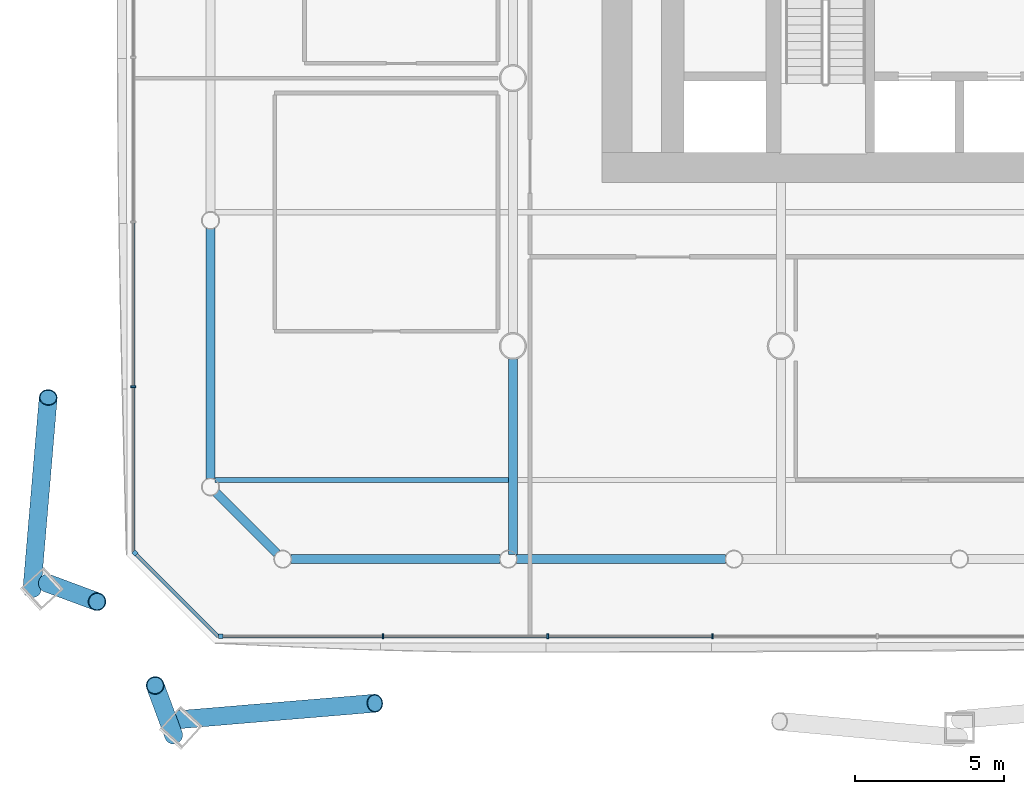
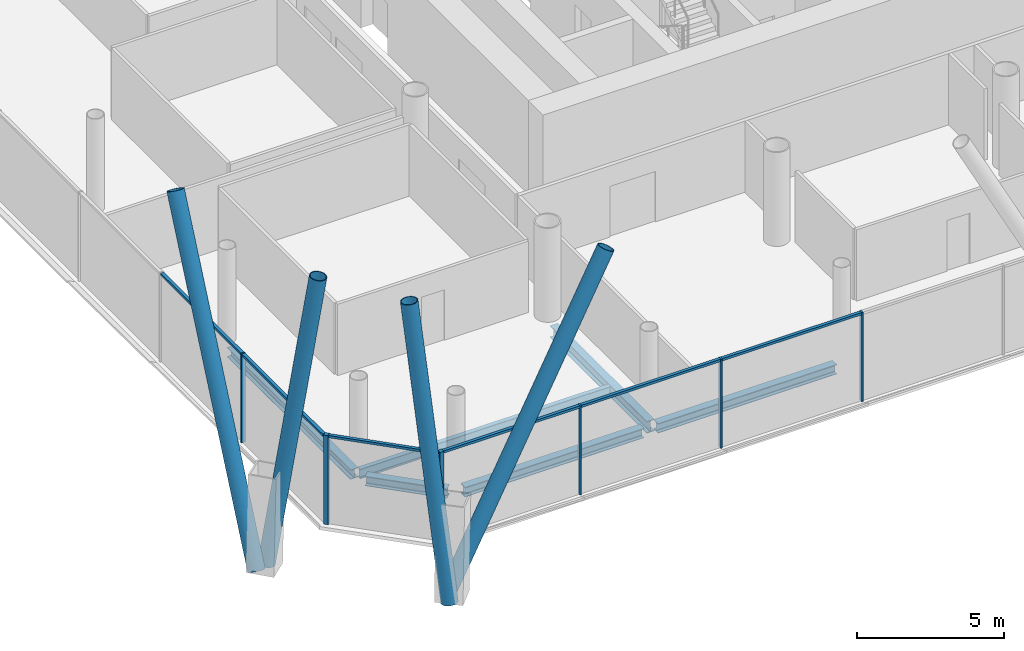
# One storey, part 3 of 25: 16 members, 6 beams, 3 elements without a shape of their own.
"""IFC4 building model written with IfcOpenShell, lengths in metres."""

from ifc_helpers import new_model, si_unit, direction, frame, origin, origin_2d, place, context, subcontext, project, spatial, rectangle, hollow_circle, i_section, extrude, material, material_profile, profile_set, type_object, element, aggregate, save


model = new_model("IFC4")

# Units and contexts
model_context = context("Model", 3, precision=1e-05, world=origin(), true_north=direction((0.0, 1.0)))
body_context = subcontext(model_context, "Body", "Model", "MODEL_VIEW")
ifc_project = project(units=[si_unit("LENGTHUNIT", "METRE"), si_unit("AREAUNIT", "SQUARE_METRE"), si_unit("VOLUMEUNIT", "CUBIC_METRE"), si_unit("PLANEANGLEUNIT", "RADIAN"), si_unit("MASSUNIT", "GRAM", prefix="KILO")], contexts=[model_context])

# Site, building, storey
site_placement = place(None, origin())
site = spatial("IfcSite", under=ifc_project, at=site_placement, CompositionType="ELEMENT")
building_placement = place(site_placement, origin())
building = spatial("IfcBuilding", under=site, at=building_placement, Name="Tskaro Facet Tower", CompositionType="ELEMENT")
storey_placement = place(building_placement, frame((0.0, 0.0, 10.800048828125)))
storey = spatial("IfcBuildingStorey", under=building, at=storey_placement, Name="L01", CompositionType="ELEMENT", Elevation=10.800048828125)

# Members
ifc_material_1 = material(Name="Steel S355J2H", Category="steel")
ifc_material_profile_1 = material_profile(ifc_material_1, hollow_circle(Radius=0.304931640625, WallThickness=0.030029296875, at=origin_2d()), Name="CHS 610x30")
ifc_profile_set_1 = profile_set([ifc_material_profile_1], Name="Steel S355J2H")
member_type_1 = type_object("IfcMemberType", Name="CHS 610x30 brace", PredefinedType="BRACE", material=ifc_profile_set_1)
member_1_placement = place(storey_placement, frame((-29.180908203125, -30.544921875, 0.0), z_axis=(0.487810027403, 0.04081308111, 0.871995223367), x_axis=(-0.083374631246, 0.996518274225, 0.0)))
element("IfcMember", 1, at=member_1_placement, inside=storey, type_object=member_type_1, Name="CHS 610x30 XB01A/1", PredefinedType="BRACE", context=body_context, shape_type="SweptSolid", body=[
    extrude(hollow_circle(Radius=0.304931640625, WallThickness=0.030029296875, at=origin_2d()), origin(), (0.0, 0.0, 1.0), 13.41748046875),
])
member_2_placement = place(storey_placement, frame((-34.155029296875, -26.180908203125, 0.0), z_axis=(0.040963989002, 0.482695988051, 0.874829431789), x_axis=(-0.996418302096, 0.084561026772, 0.0)))
element("IfcMember", 2, at=member_2_placement, inside=storey, type_object=member_type_1, Name="CHS 610x30 XB11B/1", PredefinedType="BRACE", context=body_context, shape_type="SweptSolid", body=[
    extrude(hollow_circle(Radius=0.304931640625, WallThickness=0.030029296875, at=origin_2d()), origin(), (0.0, 0.0, 1.0), 13.3740234375),
])
for number, where, z_axis, x_axis, name in (
    (3, (-33.63427734375, -25.96533203125, 0.0), (0.140901160262, -0.052337663775, 0.988639283049), (0.348203759663, 0.937418872093, 0.0), "CHS 610x30 XB12A/1"),
    (4, (-29.396728515625, -31.065673828125, 0.0), (-0.052337663775, 0.140901160262, 0.988639283049), (-0.937418872093, -0.348203759663, 0.0), "CHS 610x30 XB12B/1"),
):
    element("IfcMember", number, at=place(storey_placement, frame(where, z_axis=z_axis, x_axis=x_axis)), inside=storey, type_object=member_type_1, Name=name, PredefinedType="BRACE", context=body_context, shape_type="SweptSolid", body=[
        extrude(hollow_circle(Radius=0.304931640625, WallThickness=0.030029296875, at=origin_2d()), origin(), (0.0, 0.0, 1.0), 11.83447265625),
    ])

# Curtain wall, member
ifc_material_2 = material(Name="Bronze anodised aluminium 6063-T6", Category="aluminium")
curtain_wall_type = type_object("IfcCurtainWallType", Name="Bronze office curtain wall (FW1)", PredefinedType="NOTDEFINED", material=ifc_material_2)
curtain_wall_1_placement = place(storey_placement, origin())
curtain_wall_1 = element("IfcCurtainWall", 5, at=curtain_wall_1_placement, inside=storey, type_object=curtain_wall_type, Name="FW1 south facet L01", PredefinedType="NOTDEFINED")
ifc_material_profile_2 = material_profile(ifc_material_2, rectangle(XDim=0.159912109375, YDim=0.159912109375, at=origin_2d()), Name="Corner post 160x160")
ifc_profile_set_2 = profile_set([ifc_material_profile_2], Name="Bronze anodised aluminium 6063-T6")
member_type_2 = type_object("IfcMemberType", Name="FW1 bronze corner post 160x160", PredefinedType="MULLION", material=ifc_profile_set_2)
member_3_placement = place(storey_placement, frame((-27.81591796875, -27.75, 0.0), z_axis=(0.0, 0.0, 1.0), x_axis=(1.0, 0.0, 0.0)))
member_3 = element("IfcMember", 6, at=member_3_placement, type_object=member_type_2, Name="FW1 south corner post", PredefinedType="MULLION", context=body_context, shape_type="SweptSolid", body=[
    extrude(rectangle(XDim=0.159912109375, YDim=0.159912109375, at=origin_2d()), origin(), (0.0, 0.0, 1.0), 3.699951171875),
])

curtain_wall_2_placement = place(storey_placement, origin())
curtain_wall_2 = element("IfcCurtainWall", 7, at=curtain_wall_2_placement, inside=storey, type_object=curtain_wall_type, Name="FW1 south-west facet L01", PredefinedType="NOTDEFINED")
member_4_placement = place(storey_placement, frame((-30.693359375, -24.95263671875, 0.0), z_axis=(0.0, 0.0, 1.0), x_axis=(0.707106781187, -0.707106781187, 0.0)))
member_4 = element("IfcMember", 8, at=member_4_placement, type_object=member_type_2, Name="FW1 south-west corner post", PredefinedType="MULLION", context=body_context, shape_type="SweptSolid", body=[
    extrude(rectangle(XDim=0.159912109375, YDim=0.159912109375, at=origin_2d()), origin(), (0.0, 0.0, 1.0), 3.699951171875),
])

# Member
ifc_material_profile_3 = material_profile(ifc_material_2, rectangle(XDim=0.06005859375, YDim=0.159912109375, at=origin_2d()), Name="Mullion 60x160")
ifc_profile_set_3 = profile_set([ifc_material_profile_3], Name="Bronze anodised aluminium 6063-T6")
member_type_3 = type_object("IfcMemberType", Name="FW1 bronze mullion 60x160", PredefinedType="MULLION", material=ifc_profile_set_3)
member_5_placement = place(storey_placement, frame((-22.363525390625, -27.75, 0.0), z_axis=(0.0, 0.0, 1.0), x_axis=(1.0, 0.0, 0.0)))
member_5 = element("IfcMember", 9, at=member_5_placement, type_object=member_type_3, Name="FW1 south mullion 1", PredefinedType="MULLION", context=body_context, shape_type="SweptSolid", body=[
    extrude(rectangle(XDim=0.06005859375, YDim=0.159912109375, at=origin_2d()), origin(), (0.0, 0.0, 1.0), 3.699951171875),
])

member_6_placement = place(storey_placement, frame((-16.8310546875, -27.75, 0.0), z_axis=(0.0, 0.0, 1.0), x_axis=(1.0, 0.0, 0.0)))
member_6 = element("IfcMember", 10, at=member_6_placement, type_object=member_type_3, Name="FW1 south mullion 2", PredefinedType="MULLION", context=body_context, shape_type="SweptSolid", body=[
    extrude(rectangle(XDim=0.06005859375, YDim=0.159912109375, at=origin_2d()), origin(), (0.0, 0.0, 1.0), 3.699951171875),
])

member_7_placement = place(storey_placement, frame((-11.298583984375, -27.75, 0.0), z_axis=(0.0, 0.0, 1.0), x_axis=(1.0, 0.0, 0.0)))
member_7 = element("IfcMember", 11, at=member_7_placement, type_object=member_type_3, Name="FW1 south mullion 3", PredefinedType="MULLION", context=body_context, shape_type="SweptSolid", body=[
    extrude(rectangle(XDim=0.06005859375, YDim=0.159912109375, at=origin_2d()), origin(), (0.0, 0.0, 1.0), 3.699951171875),
])

# Curtain wall, member
curtain_wall_3_placement = place(storey_placement, origin())
curtain_wall_3 = element("IfcCurtainWall", 12, at=curtain_wall_3_placement, inside=storey, type_object=curtain_wall_type, Name="FW1 west facet L01", PredefinedType="NOTDEFINED")
member_8_placement = place(storey_placement, frame((-30.75, -19.363525390625, 0.0), z_axis=(0.0, 0.0, 1.0), x_axis=(0.0, -1.0, 0.0)))
member_8 = element("IfcMember", 13, at=member_8_placement, type_object=member_type_3, Name="FW1 west mullion 8", PredefinedType="MULLION", context=body_context, shape_type="SweptSolid", body=[
    extrude(rectangle(XDim=0.06005859375, YDim=0.159912109375, at=origin_2d()), origin(), (0.0, 0.0, 1.0), 3.699951171875),
])

# Member
ifc_material_profile_4 = material_profile(ifc_material_2, rectangle(XDim=0.1201171875, YDim=0.10009765625, at=origin_2d()), Name="Transom 120x100")
ifc_profile_set_4 = profile_set([ifc_material_profile_4], Name="Bronze anodised aluminium 6063-T6")
member_type_4 = type_object("IfcMemberType", Name="FW1 bronze transom 120x100", PredefinedType="USERDEFINED", material=ifc_profile_set_4)
member_9_placement = place(storey_placement, frame((-27.736083984375, -27.75, 3.64990234375), z_axis=(1.0, 0.0, 0.0), x_axis=(0.0, 1.0, 0.0)))
member_9 = element("IfcMember", 14, at=member_9_placement, type_object=member_type_4, Name="FW1 south transom 1.1", ObjectType="TRANSOM", PredefinedType="USERDEFINED", context=body_context, shape_type="SweptSolid", body=[
    extrude(rectangle(XDim=0.1201171875, YDim=0.10009765625, at=origin_2d()), origin(), (0.0, 0.0, 1.0), 5.342529296875),
])

member_10_placement = place(storey_placement, frame((-22.33349609375, -27.75, 3.64990234375), z_axis=(1.0, 0.0, 0.0), x_axis=(0.0, 1.0, 0.0)))
member_10 = element("IfcMember", 15, at=member_10_placement, type_object=member_type_4, Name="FW1 south transom 2.1", ObjectType="TRANSOM", PredefinedType="USERDEFINED", context=body_context, shape_type="SweptSolid", body=[
    extrude(rectangle(XDim=0.1201171875, YDim=0.10009765625, at=origin_2d()), origin(), (0.0, 0.0, 1.0), 5.472412109375),
])

member_11_placement = place(storey_placement, frame((-16.801025390625, -27.75, 3.64990234375), z_axis=(1.0, 0.0, 0.0), x_axis=(0.0, 1.0, 0.0)))
member_11 = element("IfcMember", 16, at=member_11_placement, type_object=member_type_4, Name="FW1 south transom 3.1", ObjectType="TRANSOM", PredefinedType="USERDEFINED", context=body_context, shape_type="SweptSolid", body=[
    extrude(rectangle(XDim=0.1201171875, YDim=0.10009765625, at=origin_2d()), origin(), (0.0, 0.0, 1.0), 5.472412109375),
])

aggregate(curtain_wall_1, [member_3, member_5, member_6, member_7, member_9, member_10, member_11])

member_12_placement = place(storey_placement, frame((-30.75, -13.861083984375, 3.64990234375), z_axis=(0.0, -1.0, 0.0), x_axis=(1.0, 0.0, 0.0)))
member_12 = element("IfcMember", 17, at=member_12_placement, type_object=member_type_4, Name="FW1 west transom 8.1", ObjectType="TRANSOM", PredefinedType="USERDEFINED", context=body_context, shape_type="SweptSolid", body=[
    extrude(rectangle(XDim=0.1201171875, YDim=0.10009765625, at=origin_2d()), origin(), (0.0, 0.0, 1.0), 5.472412109375),
])

member_13_placement = place(storey_placement, frame((-30.75, -19.3935546875, 3.64990234375), z_axis=(0.0, -1.0, 0.0), x_axis=(1.0, 0.0, 0.0)))
member_13 = element("IfcMember", 18, at=member_13_placement, type_object=member_type_4, Name="FW1 west transom 9.1", ObjectType="TRANSOM", PredefinedType="USERDEFINED", context=body_context, shape_type="SweptSolid", body=[
    extrude(rectangle(XDim=0.1201171875, YDim=0.10009765625, at=origin_2d()), origin(), (0.0, 0.0, 1.0), 5.50244140625),
])

aggregate(curtain_wall_3, [member_8, member_12, member_13])

member_14_placement = place(storey_placement, frame((-30.636962890625, -25.009033203125, 3.64990234375), z_axis=(0.707106781187, -0.707106781187, 0.0), x_axis=(0.707106781187, 0.707106781187, 0.0)))
member_14 = element("IfcMember", 19, at=member_14_placement, type_object=member_type_4, Name="FW1 south-west transom 1.1", ObjectType="TRANSOM", PredefinedType="USERDEFINED", context=body_context, shape_type="SweptSolid", body=[
    extrude(rectangle(XDim=0.1201171875, YDim=0.10009765625, at=origin_2d()), origin(), (0.0, 0.0, 1.0), 3.876220703125),
])

aggregate(curtain_wall_2, [member_4, member_14])

# Beams
ifc_material_3 = material(Name="Steel S355J2", Category="steel")
ifc_material_profile_5 = material_profile(ifc_material_3, i_section(OverallWidth=0.300048828125, OverallDepth=0.39990234375, WebThickness=0.013427734375, FlangeThickness=0.02392578125, FilletRadius=0.027099609375, at=origin_2d()), Name="HE 400 B")
ifc_profile_set_5 = profile_set([ifc_material_profile_5], Name="Steel S355J2")
beam_type_1 = type_object("IfcBeamType", Name="HE 400 B ring beam", PredefinedType="BEAM", material=ifc_profile_set_5)
beam_1_placement = place(storey_placement, frame((-25.4541015625, -25.156982421875, -0.340087890625), z_axis=(1.0, 0.0, 0.0), x_axis=(0.0, 1.0, 0.0)))
element("IfcBeam", 20, at=beam_1_placement, inside=storey, type_object=beam_type_1, Name="HE 400 B EB1-1", PredefinedType="BEAM", context=body_context, shape_type="SweptSolid", body=[
    extrude(i_section(OverallWidth=0.300048828125, OverallDepth=0.39990234375, WebThickness=0.013427734375, FlangeThickness=0.02392578125, FilletRadius=0.027099609375, at=origin_2d()), origin(), (0.0, 0.0, 1.0), 7.026123046875),
])
beam_2_placement = place(storey_placement, frame((-17.8779296875, -25.156982421875, -0.340087890625), z_axis=(1.0, 0.0, 0.0), x_axis=(0.0, 1.0, 0.0)))
element("IfcBeam", 21, at=beam_2_placement, inside=storey, type_object=beam_type_1, Name="HE 400 B EB2-1", PredefinedType="BEAM", context=body_context, shape_type="SweptSolid", body=[
    extrude(i_section(OverallWidth=0.300048828125, OverallDepth=0.39990234375, WebThickness=0.013427734375, FlangeThickness=0.02392578125, FilletRadius=0.027099609375, at=origin_2d()), origin(), (0.0, 0.0, 1.0), 7.02685546875),
])
beam_3_placement = place(storey_placement, frame((-28.156982421875, -14.055908203125, -0.340087890625), z_axis=(0.0, -1.0, 0.0), x_axis=(1.0, 0.0, 0.0)))
element("IfcBeam", 22, at=beam_3_placement, inside=storey, type_object=beam_type_1, Name="HE 400 B EB24-1", PredefinedType="BEAM", context=body_context, shape_type="SweptSolid", body=[
    extrude(i_section(OverallWidth=0.300048828125, OverallDepth=0.39990234375, WebThickness=0.013427734375, FlangeThickness=0.02392578125, FilletRadius=0.027099609375, at=origin_2d()), origin(), (0.0, 0.0, 1.0), 8.398193359375),
])
beam_4_placement = place(storey_placement, frame((-27.962646484375, -22.92333984375, -0.340087890625), z_axis=(0.707106781187, -0.707106781187, 0.0), x_axis=(0.707106781187, 0.707106781187, 0.0)))
element("IfcBeam", 23, at=beam_4_placement, inside=storey, type_object=beam_type_1, Name="HE 400 B EB25-1", PredefinedType="BEAM", context=body_context, shape_type="SweptSolid", body=[
    extrude(i_section(OverallWidth=0.300048828125, OverallDepth=0.39990234375, WebThickness=0.013427734375, FlangeThickness=0.02392578125, FilletRadius=0.027099609375, at=origin_2d()), origin(), (0.0, 0.0, 1.0), 2.884033203125),
])
ifc_material_profile_6 = material_profile(ifc_material_3, i_section(OverallWidth=0.300048828125, OverallDepth=0.489990234375, WebThickness=0.011962890625, FlangeThickness=0.02294921875, FilletRadius=0.027099609375, at=origin_2d()), Name="HE 500 A")
ifc_profile_set_6 = profile_set([ifc_material_profile_6], Name="Steel S355J2")
beam_type_2 = type_object("IfcBeamType", Name="HE 500 A girder", PredefinedType="BEAM", material=ifc_profile_set_6)
beam_5_placement = place(storey_placement, frame((-18.0, -25.007080078125, -0.385009765625), z_axis=(0.0, 1.0, 0.0), x_axis=(-1.0, 0.0, 0.0)))
element("IfcBeam", 24, at=beam_5_placement, inside=storey, type_object=beam_type_2, Name="HE 500 A GB2-1-1", PredefinedType="BEAM", context=body_context, shape_type="SweptSolid", body=[
    extrude(i_section(OverallWidth=0.300048828125, OverallDepth=0.489990234375, WebThickness=0.011962890625, FlangeThickness=0.02294921875, FilletRadius=0.027099609375, at=origin_2d()), origin(), (0.0, 0.0, 1.0), 6.579833984375),
])
ifc_material_profile_7 = material_profile(ifc_material_3, i_section(OverallWidth=0.179931640625, OverallDepth=0.39990234375, WebThickness=0.008544921875, FlangeThickness=0.013427734375, FilletRadius=0.02099609375, at=origin_2d()), Name="IPE 400")
ifc_profile_set_7 = profile_set([ifc_material_profile_7], Name="Steel S355J2")
beam_type_3 = type_object("IfcBeamType", Name="IPE 400 secondary beam", PredefinedType="BEAM", material=ifc_profile_set_7)
beam_6_placement = place(storey_placement, frame((-28.007080078125, -22.5, -0.340087890625), z_axis=(1.0, 0.0, 0.0), x_axis=(0.0, 1.0, 0.0)))
element("IfcBeam", 25, at=beam_6_placement, inside=storey, type_object=beam_type_3, Name="IPE 400 SB1a-1-1", PredefinedType="BEAM", context=body_context, shape_type="SweptSolid", body=[
    extrude(i_section(OverallWidth=0.179931640625, OverallDepth=0.39990234375, WebThickness=0.008544921875, FlangeThickness=0.013427734375, FilletRadius=0.02099609375, at=origin_2d()), origin(), (0.0, 0.0, 1.0), 9.857177734375),
])

save(model, "model.ifc")
